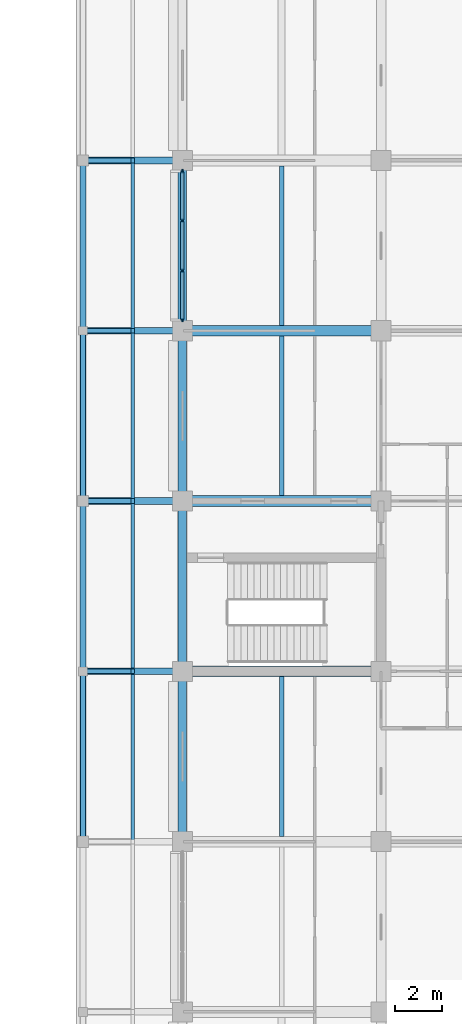
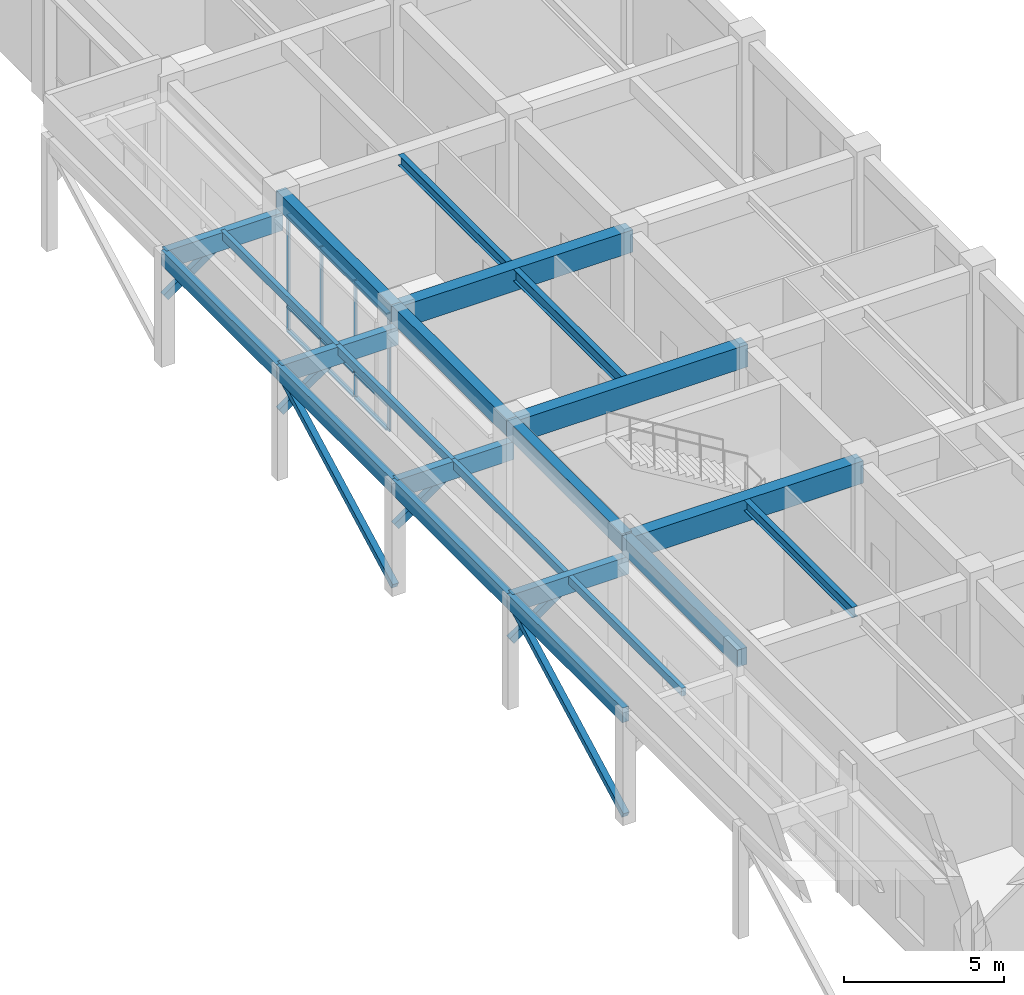
# One storey, part 22 of 68: 23 members, 18 beams, 1 element without a shape of its own.
"""IFC4 building model written with IfcOpenShell, lengths in metres."""

from ifc_helpers import new_model, si_unit, direction, frame, origin, origin_2d, place, context, subcontext, project, spatial, rectangle, i_section, extrude, material, layer, layer_set, material_profile, profile_set, type_object, element, aggregate, save


model = new_model("IFC4")

# Units and contexts
model_context = context("Model", 3, precision=1e-05, world=origin(), true_north=direction((0.0, 1.0)))
body_context = subcontext(model_context, "Body", "Model", "MODEL_VIEW")
ifc_project = project(units=[si_unit("LENGTHUNIT", "METRE"), si_unit("AREAUNIT", "SQUARE_METRE"), si_unit("VOLUMEUNIT", "CUBIC_METRE"), si_unit("PLANEANGLEUNIT", "RADIAN"), si_unit("MASSUNIT", "GRAM", prefix="KILO")], contexts=[model_context])

# Site, building, storey
site_placement = place(None, origin())
site = spatial("IfcSite", under=ifc_project, at=site_placement, CompositionType="ELEMENT")
building_placement = place(site_placement, origin())
building = spatial("IfcBuilding", under=site, at=building_placement, Name="Chengyuan Square Courthouse", CompositionType="ELEMENT")
storey_placement = place(building_placement, frame((0.0, 0.0, 5.39990234375)))
storey = spatial("IfcBuildingStorey", under=building, at=storey_placement, Name="L02", CompositionType="ELEMENT", Elevation=5.39990234375)

# Beams
ifc_material_1 = material(Name="Concrete C40", Category="concrete")
ifc_material_profile_1 = material_profile(ifc_material_1, rectangle(XDim=0.449951171875, YDim=0.85009765625, at=origin_2d()), Name="RC-BM-450x850")
ifc_profile_set_1 = profile_set([ifc_material_profile_1], Name="Concrete C40")
beam_type_1 = type_object("IfcBeamType", Name="BM-01", PredefinedType="USERDEFINED", material=ifc_profile_set_1)
for number, where, z_axis, x_axis, name in (
    (1, (151.199951171875, 36.0, 4.625), (1.0, 0.0, 0.0), (0.0, 1.0, 0.0), "Girder BM-L02-2093"),
    (2, (151.199951171875, 43.199951171875, 4.695068359375), (1.0, 0.0, 0.0), (0.0, 1.0, 0.0), "Girder BM-L02-2097"),
    (3, (151.199951171875, 50.39990234375, 4.695068359375), (1.0, 0.0, 0.0), (0.0, 1.0, 0.0), "Girder BM-L02-2101"),
):
    element("IfcBeam", number, at=place(storey_placement, frame(where, z_axis=z_axis, x_axis=x_axis)), inside=storey, type_object=beam_type_1, Name=name, ObjectType="GIRDER", PredefinedType="USERDEFINED", context=body_context, shape_type="SweptSolid", body=[
        extrude(rectangle(XDim=0.449951171875, YDim=0.85009765625, at=origin_2d()), origin(), (0.0, 0.0, 1.0), 8.400146484375),
    ])
ifc_material_profile_2 = material_profile(ifc_material_1, rectangle(XDim=0.35009765625, YDim=0.64990234375, at=origin_2d()), Name="RC-BM-350x650")
ifc_profile_set_2 = profile_set([ifc_material_profile_2], Name="Concrete C40")
beam_type_2 = type_object("IfcBeamType", Name="BM-03", PredefinedType="SPANDREL", material=ifc_profile_set_2)
for number, where, z_axis, x_axis, name in (
    (4, (151.199951171875, 28.800048828125, 4.72509765625), (0.0, 1.0, 0.0), (-1.0, 0.0, 0.0), "Girder BM-L02-2349"),
    (5, (151.199951171875, 36.0, 4.795166015625), (0.0, 1.0, 0.0), (-1.0, 0.0, 0.0), "Girder BM-L02-2350"),
    (6, (151.199951171875, 43.199951171875, 4.795166015625), (0.0, 1.0, 0.0), (-1.0, 0.0, 0.0), "Girder BM-L02-2351"),
):
    element("IfcBeam", number, at=place(storey_placement, frame(where, z_axis=z_axis, x_axis=x_axis)), inside=storey, type_object=beam_type_2, Name=name, PredefinedType="SPANDREL", context=body_context, shape_type="SweptSolid", body=[
        extrude(rectangle(XDim=0.35009765625, YDim=0.64990234375, at=origin_2d()), origin(), (0.0, 0.0, 1.0), 7.199951171875),
    ])
beam_1_placement = place(storey_placement, frame((151.199951171875, 50.39990234375, 4.795166015625), z_axis=(0.0, 1.0, 0.0), x_axis=(-1.0, 0.0, 0.0)))
element("IfcBeam", 7, at=beam_1_placement, inside=storey, type_object=beam_type_2, Name="Girder BM-L02-2352", PredefinedType="SPANDREL", context=body_context, shape_type="SweptSolid", body=[
    extrude(rectangle(XDim=0.35009765625, YDim=0.64990234375, at=origin_2d()), origin(), (0.0, 0.0, 1.0), 7.2001953125),
])
ifc_material_2 = material(Name="Steel Q355B", Category="steel")
ifc_material_profile_3 = material_profile(ifc_material_2, i_section(OverallWidth=0.199951171875, OverallDepth=0.449951171875, WebThickness=0.009033203125, FlangeThickness=0.013916015625, at=origin_2d()), Name="HN 450x200x9x14")
ifc_profile_set_3 = profile_set([ifc_material_profile_3], Name="Steel Q355B")
beam_type_3 = type_object("IfcBeamType", Name="BM-06", PredefinedType="BEAM", material=ifc_profile_set_3)
beam_2_placement = place(storey_placement, frame((155.39990234375, 43.425048828125, 4.89501953125), z_axis=(0.0, 1.0, 0.0), x_axis=(-1.0, 0.0, 0.0)))
element("IfcBeam", 8, at=beam_2_placement, inside=storey, type_object=beam_type_3, Name="Secondary Floor Beam SBM-L02-2484", PredefinedType="BEAM", context=body_context, shape_type="SweptSolid", body=[
    extrude(i_section(OverallWidth=0.199951171875, OverallDepth=0.449951171875, WebThickness=0.009033203125, FlangeThickness=0.013916015625, at=origin_2d()), origin(), (0.0, 0.0, 1.0), 6.75),
])
ifc_material_profile_4 = material_profile(ifc_material_2, i_section(OverallWidth=0.199951171875, OverallDepth=0.39990234375, WebThickness=0.008056640625, FlangeThickness=0.012939453125, at=origin_2d()), Name="HN 400x200x8x13")
ifc_profile_set_4 = profile_set([ifc_material_profile_4], Name="Steel Q355B")
beam_type_4 = type_object("IfcBeamType", Name="BM-07", PredefinedType="BEAM", material=ifc_profile_set_4)
for number, where, z_axis, x_axis, name in (
    (9, (155.39990234375, 29.02490234375, 4.85009765625), (0.0, 1.0, 0.0), (-1.0, 0.0, 0.0), "Secondary Floor Beam SBM-L02-2483"),
    (10, (155.39990234375, 50.625, 4.920166015625), (0.0, 1.0, 0.0), (-1.0, 0.0, 0.0), "Secondary Floor Beam SBM-L02-2485"),
):
    element("IfcBeam", number, at=place(storey_placement, frame(where, z_axis=z_axis, x_axis=x_axis)), inside=storey, type_object=beam_type_4, Name=name, PredefinedType="BEAM", context=body_context, shape_type="SweptSolid", body=[
        extrude(i_section(OverallWidth=0.199951171875, OverallDepth=0.39990234375, WebThickness=0.008056640625, FlangeThickness=0.012939453125, at=origin_2d()), origin(), (0.0, 0.0, 1.0), 6.75),
    ])

# Members
ifc_material_3 = material(Name="Glulam TCt28", Category="wood")
ifc_material_profile_5 = material_profile(ifc_material_3, rectangle(XDim=0.219970703125, YDim=0.219970703125, at=origin_2d()), Name="GL-BR-220x220")
ifc_profile_set_5 = profile_set([ifc_material_profile_5], Name="Glulam TCt28")
member_type_1 = type_object("IfcMemberType", Name="BR-03", PredefinedType="BRACE", material=ifc_profile_set_5)
for number, where, z_axis, x_axis, name in (
    (11, (147.0, 28.800048828125, 0.2001953125), (0.0, 0.883377366963, 0.468662381184), (-1.0, 0.0, 0.0), "Glulam Colonnade Portal Brace GBR-L02-014"),
    (12, (147.0, 43.199951171875, 0.2001953125), (0.0, 0.883377366963, 0.468662381184), (-1.0, 0.0, 0.0), "Glulam Colonnade Portal Brace GBR-L02-016"),
):
    element("IfcMember", number, at=place(storey_placement, frame(where, z_axis=z_axis, x_axis=x_axis)), inside=storey, type_object=member_type_1, Name=name, PredefinedType="BRACE", context=body_context, shape_type="SweptSolid", body=[
        extrude(rectangle(XDim=0.219970703125, YDim=0.219970703125, at=origin_2d()), origin(), (0.0, 0.0, 1.0), 8.150390625),
    ])

# Curtain wall, members
ifc_material_4 = material(Name="Unitised Aluminium and Triple Low-E Glass", Category="aluminium")
ifc_layer = layer(ifc_material_4, 0.159912109375)
ifc_layer_set = layer_set([ifc_layer], Name="Unitised Aluminium and Triple Low-E Glass")
curtain_wall_type = type_object("IfcCurtainWallType", Name="CW-17", PredefinedType="USERDEFINED", material=ifc_layer_set)
curtain_wall_placement = place(storey_placement, origin())
curtain_wall = element("IfcCurtainWall", 13, at=curtain_wall_placement, inside=storey, type_object=curtain_wall_type, Name="Unitised Curtain Wall CW-L02-080", ObjectType="UNITISED CURTAIN WALL", PredefinedType="USERDEFINED")
ifc_material_5 = material(Name="Aluminium 6063-T6 Frame", Category="aluminium")
ifc_material_profile_6 = material_profile(ifc_material_5, rectangle(XDim=0.06005859375, YDim=0.159912109375, at=origin_2d()), Name="CW-MUL-60x160")
ifc_profile_set_6 = profile_set([ifc_material_profile_6], Name="Aluminium 6063-T6 Frame")
member_type_2 = type_object("IfcMemberType", Name="CWM-01", PredefinedType="MULLION", material=ifc_profile_set_6)
member_1_placement = place(storey_placement, frame((151.199951171875, 50.85498046875, 0.0), z_axis=(0.0, 0.0, 1.0), x_axis=(-1.0, 0.0, 0.0)))
member_1 = element("IfcMember", 14, at=member_1_placement, type_object=member_type_2, Name="CW-17 mullion 1", PredefinedType="MULLION", context=body_context, shape_type="SweptSolid", body=[
    extrude(rectangle(XDim=0.06005859375, YDim=0.159912109375, at=origin_2d()), origin(), (0.0, 0.0, 1.0), 4.47021484375),
])
member_2_placement = place(storey_placement, frame((151.199951171875, 52.941650390625, 0.0), z_axis=(0.0, 0.0, 1.0), x_axis=(-1.0, 0.0, 0.0)))
member_2 = element("IfcMember", 15, at=member_2_placement, type_object=member_type_2, Name="CW-17 mullion 2", PredefinedType="MULLION", context=body_context, shape_type="SweptSolid", body=[
    extrude(rectangle(XDim=0.06005859375, YDim=0.159912109375, at=origin_2d()), origin(), (0.0, 0.0, 1.0), 4.47021484375),
])
member_3_placement = place(storey_placement, frame((151.199951171875, 55.058349609375, 0.0), z_axis=(0.0, 0.0, 1.0), x_axis=(-1.0, 0.0, 0.0)))
member_3 = element("IfcMember", 16, at=member_3_placement, type_object=member_type_2, Name="CW-17 mullion 3", PredefinedType="MULLION", context=body_context, shape_type="SweptSolid", body=[
    extrude(rectangle(XDim=0.06005859375, YDim=0.159912109375, at=origin_2d()), origin(), (0.0, 0.0, 1.0), 4.47021484375),
])
member_4_placement = place(storey_placement, frame((151.199951171875, 57.14501953125, 0.0), z_axis=(0.0, 0.0, 1.0), x_axis=(-1.0, 0.0, 0.0)))
member_4 = element("IfcMember", 17, at=member_4_placement, type_object=member_type_2, Name="CW-17 mullion 4", PredefinedType="MULLION", context=body_context, shape_type="SweptSolid", body=[
    extrude(rectangle(XDim=0.06005859375, YDim=0.159912109375, at=origin_2d()), origin(), (0.0, 0.0, 1.0), 4.47021484375),
])
ifc_material_profile_7 = material_profile(ifc_material_5, rectangle(XDim=0.159912109375, YDim=0.06005859375, at=origin_2d()), Name="CW-TRN-60x120")
ifc_profile_set_7 = profile_set([ifc_material_profile_7], Name="Aluminium 6063-T6 Frame")
member_type_3 = type_object("IfcMemberType", Name="CWT-01", PredefinedType="USERDEFINED", material=ifc_profile_set_7)
member_5_placement = place(storey_placement, frame((151.199951171875, 50.885009765625, 0.030029296875), z_axis=(0.0, 1.0, 0.0), x_axis=(-1.0, 0.0, 0.0)))
member_5 = element("IfcMember", 18, at=member_5_placement, type_object=member_type_3, Name="CW-17 transom 1.1", ObjectType="TRANSOM", PredefinedType="USERDEFINED", context=body_context, shape_type="SweptSolid", body=[
    extrude(rectangle(XDim=0.159912109375, YDim=0.06005859375, at=origin_2d()), origin(), (0.0, 0.0, 1.0), 2.026611328125),
])
member_6_placement = place(storey_placement, frame((151.199951171875, 50.885009765625, 0.9501953125), z_axis=(0.0, 1.0, 0.0), x_axis=(-1.0, 0.0, 0.0)))
member_6 = element("IfcMember", 19, at=member_6_placement, type_object=member_type_3, Name="CW-17 transom 1.2", ObjectType="TRANSOM", PredefinedType="USERDEFINED", context=body_context, shape_type="SweptSolid", body=[
    extrude(rectangle(XDim=0.159912109375, YDim=0.06005859375, at=origin_2d()), origin(), (0.0, 0.0, 1.0), 2.026611328125),
])
member_7_placement = place(storey_placement, frame((151.199951171875, 50.885009765625, 4.440185546875), z_axis=(0.0, 1.0, 0.0), x_axis=(-1.0, 0.0, 0.0)))
member_7 = element("IfcMember", 20, at=member_7_placement, type_object=member_type_3, Name="CW-17 transom 1.3", ObjectType="TRANSOM", PredefinedType="USERDEFINED", context=body_context, shape_type="SweptSolid", body=[
    extrude(rectangle(XDim=0.159912109375, YDim=0.06005859375, at=origin_2d()), origin(), (0.0, 0.0, 1.0), 2.026611328125),
])
member_8_placement = place(storey_placement, frame((151.199951171875, 52.9716796875, 0.030029296875), z_axis=(0.0, 1.0, 0.0), x_axis=(-1.0, 0.0, 0.0)))
member_8 = element("IfcMember", 21, at=member_8_placement, type_object=member_type_3, Name="CW-17 transom 2.1", ObjectType="TRANSOM", PredefinedType="USERDEFINED", context=body_context, shape_type="SweptSolid", body=[
    extrude(rectangle(XDim=0.159912109375, YDim=0.06005859375, at=origin_2d()), origin(), (0.0, 0.0, 1.0), 2.056640625),
])
member_9_placement = place(storey_placement, frame((151.199951171875, 52.9716796875, 0.9501953125), z_axis=(0.0, 1.0, 0.0), x_axis=(-1.0, 0.0, 0.0)))
member_9 = element("IfcMember", 22, at=member_9_placement, type_object=member_type_3, Name="CW-17 transom 2.2", ObjectType="TRANSOM", PredefinedType="USERDEFINED", context=body_context, shape_type="SweptSolid", body=[
    extrude(rectangle(XDim=0.159912109375, YDim=0.06005859375, at=origin_2d()), origin(), (0.0, 0.0, 1.0), 2.056640625),
])
member_10_placement = place(storey_placement, frame((151.199951171875, 52.9716796875, 4.440185546875), z_axis=(0.0, 1.0, 0.0), x_axis=(-1.0, 0.0, 0.0)))
member_10 = element("IfcMember", 23, at=member_10_placement, type_object=member_type_3, Name="CW-17 transom 2.3", ObjectType="TRANSOM", PredefinedType="USERDEFINED", context=body_context, shape_type="SweptSolid", body=[
    extrude(rectangle(XDim=0.159912109375, YDim=0.06005859375, at=origin_2d()), origin(), (0.0, 0.0, 1.0), 2.056640625),
])
member_11_placement = place(storey_placement, frame((151.199951171875, 55.08837890625, 0.030029296875), z_axis=(0.0, 1.0, 0.0), x_axis=(-1.0, 0.0, 0.0)))
member_11 = element("IfcMember", 24, at=member_11_placement, type_object=member_type_3, Name="CW-17 transom 3.1", ObjectType="TRANSOM", PredefinedType="USERDEFINED", context=body_context, shape_type="SweptSolid", body=[
    extrude(rectangle(XDim=0.159912109375, YDim=0.06005859375, at=origin_2d()), origin(), (0.0, 0.0, 1.0), 2.026611328125),
])
member_12_placement = place(storey_placement, frame((151.199951171875, 55.08837890625, 0.9501953125), z_axis=(0.0, 1.0, 0.0), x_axis=(-1.0, 0.0, 0.0)))
member_12 = element("IfcMember", 25, at=member_12_placement, type_object=member_type_3, Name="CW-17 transom 3.2", ObjectType="TRANSOM", PredefinedType="USERDEFINED", context=body_context, shape_type="SweptSolid", body=[
    extrude(rectangle(XDim=0.159912109375, YDim=0.06005859375, at=origin_2d()), origin(), (0.0, 0.0, 1.0), 2.026611328125),
])
member_13_placement = place(storey_placement, frame((151.199951171875, 55.08837890625, 4.440185546875), z_axis=(0.0, 1.0, 0.0), x_axis=(-1.0, 0.0, 0.0)))
member_13 = element("IfcMember", 26, at=member_13_placement, type_object=member_type_3, Name="CW-17 transom 3.3", ObjectType="TRANSOM", PredefinedType="USERDEFINED", context=body_context, shape_type="SweptSolid", body=[
    extrude(rectangle(XDim=0.159912109375, YDim=0.06005859375, at=origin_2d()), origin(), (0.0, 0.0, 1.0), 2.026611328125),
])
aggregate(curtain_wall, [member_1, member_2, member_3, member_4, member_5, member_6, member_7, member_8, member_9, member_10, member_11, member_12, member_13])

# Beams
ifc_material_profile_8 = material_profile(ifc_material_3, rectangle(XDim=0.280029296875, YDim=0.679931640625, at=origin_2d()), Name="GL-BM-280x680")
ifc_profile_set_8 = profile_set([ifc_material_profile_8], Name="Glulam TCt28")
beam_type_5 = type_object("IfcBeamType", Name="GLB-01", PredefinedType="BEAM", material=ifc_profile_set_8)
for number, where, z_axis, x_axis, name in (
    (27, (151.199951171875, 36.0, 3.960205078125), (-1.0, 0.0, 0.0), (0.0, -1.0, 0.0), "Glulam Colonnade Portal Beam GLB-L02-037"),
    (28, (151.199951171875, 43.199951171875, 3.960205078125), (-1.0, 0.0, 0.0), (0.0, -1.0, 0.0), "Glulam Colonnade Portal Beam GLB-L02-039"),
    (29, (151.199951171875, 50.39990234375, 3.960205078125), (-1.0, 0.0, 0.0), (0.0, -1.0, 0.0), "Glulam Colonnade Portal Beam GLB-L02-041"),
    (30, (151.199951171875, 57.60009765625, 3.960205078125), (-1.0, 0.0, 0.0), (0.0, -1.0, 0.0), "Glulam Colonnade Portal Beam GLB-L02-043"),
):
    element("IfcBeam", number, at=place(storey_placement, frame(where, z_axis=z_axis, x_axis=x_axis)), inside=storey, type_object=beam_type_5, Name=name, PredefinedType="BEAM", context=body_context, shape_type="SweptSolid", body=[
        extrude(rectangle(XDim=0.280029296875, YDim=0.679931640625, at=origin_2d()), origin(), (0.0, 0.0, 1.0), 4.199951171875),
    ])
ifc_material_profile_9 = material_profile(ifc_material_3, rectangle(XDim=0.239990234375, YDim=0.56005859375, at=origin_2d()), Name="GL-BM-240x560")
ifc_profile_set_9 = profile_set([ifc_material_profile_9], Name="Glulam TCt28")
beam_type_6 = type_object("IfcBeamType", Name="GLB-02", PredefinedType="BEAM", material=ifc_profile_set_9)
for number, where, z_axis, x_axis, name in (
    (31, (147.0, 28.800048828125, 4.02001953125), (0.0, 1.0, 0.0), (-1.0, 0.0, 0.0), "Glulam Colonnade Header GLH-L02-014"),
    (32, (147.0, 36.0, 4.02001953125), (0.0, 1.0, 0.0), (-1.0, 0.0, 0.0), "Glulam Colonnade Header GLH-L02-015"),
    (33, (147.0, 43.199951171875, 4.02001953125), (0.0, 1.0, 0.0), (-1.0, 0.0, 0.0), "Glulam Colonnade Header GLH-L02-016"),
):
    element("IfcBeam", number, at=place(storey_placement, frame(where, z_axis=z_axis, x_axis=x_axis)), inside=storey, type_object=beam_type_6, Name=name, PredefinedType="BEAM", context=body_context, shape_type="SweptSolid", body=[
        extrude(rectangle(XDim=0.239990234375, YDim=0.56005859375, at=origin_2d()), origin(), (0.0, 0.0, 1.0), 7.199951171875),
    ])
beam_3_placement = place(storey_placement, frame((147.0, 50.39990234375, 4.02001953125), z_axis=(0.0, 1.0, 0.0), x_axis=(-1.0, 0.0, 0.0)))
element("IfcBeam", 34, at=beam_3_placement, inside=storey, type_object=beam_type_6, Name="Glulam Colonnade Header GLH-L02-017", PredefinedType="BEAM", context=body_context, shape_type="SweptSolid", body=[
    extrude(rectangle(XDim=0.239990234375, YDim=0.56005859375, at=origin_2d()), origin(), (0.0, 0.0, 1.0), 7.2001953125),
])

# Members
ifc_material_profile_10 = material_profile(ifc_material_3, rectangle(XDim=0.159912109375, YDim=0.300048828125, at=origin_2d()), Name="GL-PRL-160x300")
ifc_profile_set_10 = profile_set([ifc_material_profile_10], Name="Glulam TCt28")
member_type_4 = type_object("IfcMemberType", Name="PRL-02", PredefinedType="PURLIN", material=ifc_profile_set_10)
for number, where, z_axis, x_axis, name in (
    (35, (149.10009765625, 28.800048828125, 4.150146484375), (0.0, 1.0, 0.0), (-1.0, 0.0, 0.0), "Glulam Canopy Purlin PRL-COL-014"),
    (36, (149.10009765625, 36.0, 4.150146484375), (0.0, 1.0, 0.0), (-1.0, 0.0, 0.0), "Glulam Canopy Purlin PRL-COL-015"),
    (37, (149.10009765625, 43.199951171875, 4.150146484375), (0.0, 1.0, 0.0), (-1.0, 0.0, 0.0), "Glulam Canopy Purlin PRL-COL-016"),
):
    element("IfcMember", number, at=place(storey_placement, frame(where, z_axis=z_axis, x_axis=x_axis)), inside=storey, type_object=member_type_4, Name=name, PredefinedType="PURLIN", context=body_context, shape_type="SweptSolid", body=[
        extrude(rectangle(XDim=0.159912109375, YDim=0.300048828125, at=origin_2d()), origin(), (0.0, 0.0, 1.0), 7.199951171875),
    ])
member_14_placement = place(storey_placement, frame((149.10009765625, 50.39990234375, 4.150146484375), z_axis=(0.0, 1.0, 0.0), x_axis=(-1.0, 0.0, 0.0)))
element("IfcMember", 38, at=member_14_placement, inside=storey, type_object=member_type_4, Name="Glulam Canopy Purlin PRL-COL-017", PredefinedType="PURLIN", context=body_context, shape_type="SweptSolid", body=[
    extrude(rectangle(XDim=0.159912109375, YDim=0.300048828125, at=origin_2d()), origin(), (0.0, 0.0, 1.0), 7.2001953125),
])
ifc_material_profile_11 = material_profile(ifc_material_3, rectangle(XDim=0.199951171875, YDim=0.280029296875, at=origin_2d()), Name="GL-STR-200x280")
ifc_profile_set_11 = profile_set([ifc_material_profile_11], Name="Glulam TCt28")
member_type_5 = type_object("IfcMemberType", Name="STR-01", PredefinedType="STRUT", material=ifc_profile_set_11)
for number, where, z_axis, x_axis, name in (
    (39, (147.0, 36.0, 2.5), (0.821039413556, 0.0, 0.570871510402), (0.0, 1.0, 0.0), "Glulam Colonnade Knee Strut STR-L02-037"),
    (40, (147.0, 43.199951171875, 2.5), (0.821039413556, 0.0, 0.570871510402), (0.0, 1.0, 0.0), "Glulam Colonnade Knee Strut STR-L02-039"),
    (41, (147.0, 50.39990234375, 2.5), (0.821039413556, 0.0, 0.570871510402), (0.0, 1.0, 0.0), "Glulam Colonnade Knee Strut STR-L02-041"),
    (42, (147.0, 57.60009765625, 2.5), (0.821039413556, 0.0, 0.570871510402), (0.0, 1.0, 0.0), "Glulam Colonnade Knee Strut STR-L02-043"),
):
    element("IfcMember", number, at=place(storey_placement, frame(where, z_axis=z_axis, x_axis=x_axis)), inside=storey, type_object=member_type_5, Name=name, PredefinedType="STRUT", context=body_context, shape_type="SweptSolid", body=[
        extrude(rectangle(XDim=0.199951171875, YDim=0.280029296875, at=origin_2d()), origin(), (0.0, 0.0, 1.0), 2.557861328125),
    ])

save(model, "model.ifc")
